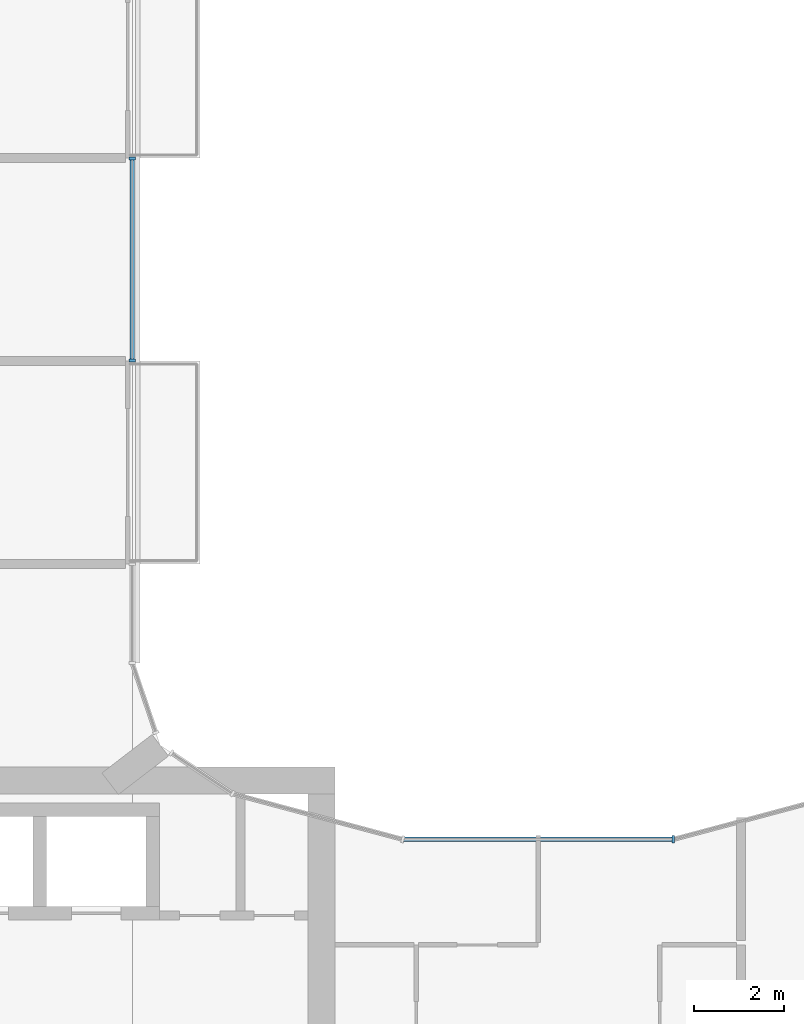
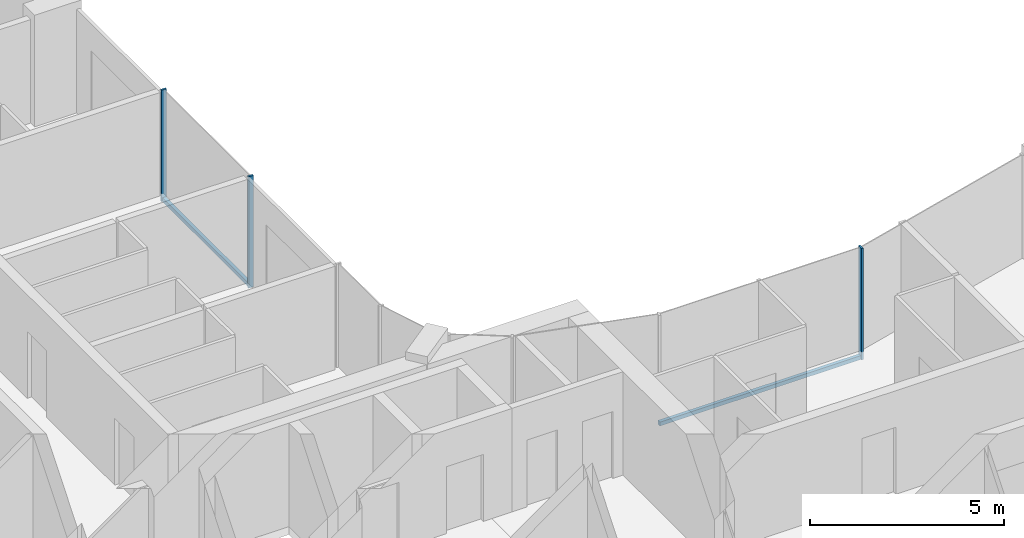
# One storey, part 5 of 17: 5 members, 2 elements without a shape of their own.
"""IFC4 building model written with IfcOpenShell, lengths in metres."""

from ifc_helpers import new_model, si_unit, direction, frame, origin, origin_2d, place, context, subcontext, project, spatial, rectangle, extrude, material, layer, layer_set, material_profile, profile_set, type_object, element, aggregate, save


model = new_model("IFC4")

# Units and contexts
model_context = context("Model", 3, precision=1e-05, world=origin(), true_north=direction((0.0, 1.0)))
body_context = subcontext(model_context, "Body", "Model", "MODEL_VIEW")
ifc_project = project(units=[si_unit("LENGTHUNIT", "METRE"), si_unit("AREAUNIT", "SQUARE_METRE"), si_unit("VOLUMEUNIT", "CUBIC_METRE"), si_unit("PLANEANGLEUNIT", "RADIAN"), si_unit("MASSUNIT", "GRAM", prefix="KILO")], contexts=[model_context])

# Site, building, storey
site_placement = place(None, origin())
site = spatial("IfcSite", under=ifc_project, at=site_placement, CompositionType="ELEMENT")
building_placement = place(site_placement, origin())
building = spatial("IfcBuilding", under=site, at=building_placement, Name="Plateau Cross Towers", CompositionType="ELEMENT")
storey_placement = place(building_placement, frame((0.0, 0.0, 146.39990234375)))
storey = spatial("IfcBuildingStorey", under=building, at=storey_placement, Name="L37", CompositionType="ELEMENT", Elevation=146.39990234375)

# Curtain wall, members
ifc_material_1 = material(Name="Dark low-iron glass", Category="glass")
ifc_layer_1 = layer(ifc_material_1, 0.239990234375)
ifc_layer_set_1 = layer_set([ifc_layer_1], Name="Dark low-iron glass")
curtain_wall_type_1 = type_object("IfcCurtainWallType", Name="Curtain wall flush unitised CW-B", PredefinedType="NOTDEFINED", material=ifc_layer_set_1)
curtain_wall_1_placement = place(storey_placement, origin())
curtain_wall_1 = element("IfcCurtainWall", 1, at=curtain_wall_1_placement, inside=storey, type_object=curtain_wall_type_1, Name="ENV/A/L37/A180_270", PredefinedType="NOTDEFINED")
ifc_material_2 = material(Name="Black anodised aluminium", Category="aluminium")
ifc_material_profile_1 = material_profile(ifc_material_2, rectangle(XDim=0.06005859375, YDim=0.139892578125, at=origin_2d()), Name="MULLION 60x140")
ifc_profile_set_1 = profile_set([ifc_material_profile_1], Name="Black anodised aluminium")
member_type_1 = type_object("IfcMemberType", Name="Mullion 60x140 flush unitised", PredefinedType="MULLION", material=ifc_profile_set_1)
member_1_placement = place(storey_placement, frame((18.0, 27.010009765625, -0.25), z_axis=(0.0, 0.0, 1.0), x_axis=(0.0, 1.0, 0.0)))
member_1 = element("IfcMember", 2, at=member_1_placement, type_object=member_type_1, Name="CW-B mullion 1", PredefinedType="MULLION", context=body_context, shape_type="SweptSolid", body=[
    extrude(rectangle(XDim=0.06005859375, YDim=0.139892578125, at=origin_2d()), origin(), (0.0, 0.0, 1.0), 3.5),
])
member_2_placement = place(storey_placement, frame((18.0, 31.489990234375, -0.25), z_axis=(0.0, 0.0, 1.0), x_axis=(0.0, 1.0, 0.0)))
member_2 = element("IfcMember", 3, at=member_2_placement, type_object=member_type_1, Name="CW-B mullion 2", PredefinedType="MULLION", context=body_context, shape_type="SweptSolid", body=[
    extrude(rectangle(XDim=0.06005859375, YDim=0.139892578125, at=origin_2d()), origin(), (0.0, 0.0, 1.0), 3.5),
])

# Curtain wall, member
ifc_layer_2 = layer(ifc_material_1, 0.260009765625)
ifc_layer_set_2 = layer_set([ifc_layer_2], Name="Dark low-iron glass")
curtain_wall_type_2 = type_object("IfcCurtainWallType", Name="Curtain wall fluted unitised CW-A", PredefinedType="NOTDEFINED", material=ifc_layer_set_2)
curtain_wall_2_placement = place(storey_placement, origin())
curtain_wall_2 = element("IfcCurtainWall", 4, at=curtain_wall_2_placement, inside=storey, type_object=curtain_wall_type_2, Name="ENV/A/L37/A300_164", PredefinedType="NOTDEFINED")
ifc_material_profile_2 = material_profile(ifc_material_2, rectangle(XDim=0.06005859375, YDim=0.159912109375, at=origin_2d()), Name="MULLION 60x160")
ifc_profile_set_2 = profile_set([ifc_material_profile_2], Name="Black anodised aluminium")
member_type_2 = type_object("IfcMemberType", Name="Mullion 60x160 fluted unitised", PredefinedType="MULLION", material=ifc_profile_set_2)
member_3_placement = place(storey_placement, frame((30.0, 16.39306640625, -0.25), z_axis=(0.0, 0.0, 1.0), x_axis=(-1.0, 0.0, 0.0)))
member_3 = element("IfcMember", 5, at=member_3_placement, type_object=member_type_2, Name="CW-A mullion 1", PredefinedType="MULLION", context=body_context, shape_type="SweptSolid", body=[
    extrude(rectangle(XDim=0.06005859375, YDim=0.159912109375, at=origin_2d()), origin(), (0.0, 0.0, 1.0), 3.5),
])

# Member
ifc_material_profile_3 = material_profile(ifc_material_2, rectangle(XDim=0.10009765625, YDim=0.1201171875, at=origin_2d()), Name="TRANSOM 100x120")
ifc_profile_set_3 = profile_set([ifc_material_profile_3], Name="Black anodised aluminium")
member_type_3 = type_object("IfcMemberType", Name="Transom 100x120 flush unitised", PredefinedType="USERDEFINED", material=ifc_profile_set_3)
member_4_placement = place(storey_placement, frame((18.0, 27.010009765625, -0.18994140625), z_axis=(0.0, 1.0, 0.0), x_axis=(-1.0, 0.0, 0.0)))
member_4 = element("IfcMember", 6, at=member_4_placement, type_object=member_type_3, Name="CW-B transom", ObjectType="TRANSOM", PredefinedType="USERDEFINED", context=body_context, shape_type="SweptSolid", body=[
    extrude(rectangle(XDim=0.10009765625, YDim=0.1201171875, at=origin_2d()), origin(), (0.0, 0.0, 1.0), 4.47998046875),
])

aggregate(curtain_wall_1, [member_1, member_2, member_4])

ifc_material_profile_4 = material_profile(ifc_material_2, rectangle(XDim=0.10009765625, YDim=0.1201171875, at=origin_2d()), Name="TRANSOM 100x120")
ifc_profile_set_4 = profile_set([ifc_material_profile_4], Name="Black anodised aluminium")
member_type_4 = type_object("IfcMemberType", Name="Transom 100x120 fluted unitised", PredefinedType="USERDEFINED", material=ifc_profile_set_4)
member_5_placement = place(storey_placement, frame((30.0, 16.39306640625, -0.18994140625), z_axis=(-1.0, 0.0, 0.0), x_axis=(0.0, -1.0, 0.0)))
member_5 = element("IfcMember", 7, at=member_5_placement, type_object=member_type_4, Name="CW-A transom", ObjectType="TRANSOM", PredefinedType="USERDEFINED", context=body_context, shape_type="SweptSolid", body=[
    extrude(rectangle(XDim=0.10009765625, YDim=0.1201171875, at=origin_2d()), origin(), (0.0, 0.0, 1.0), 6.0),
])

aggregate(curtain_wall_2, [member_3, member_5])

save(model, "model.ifc")
